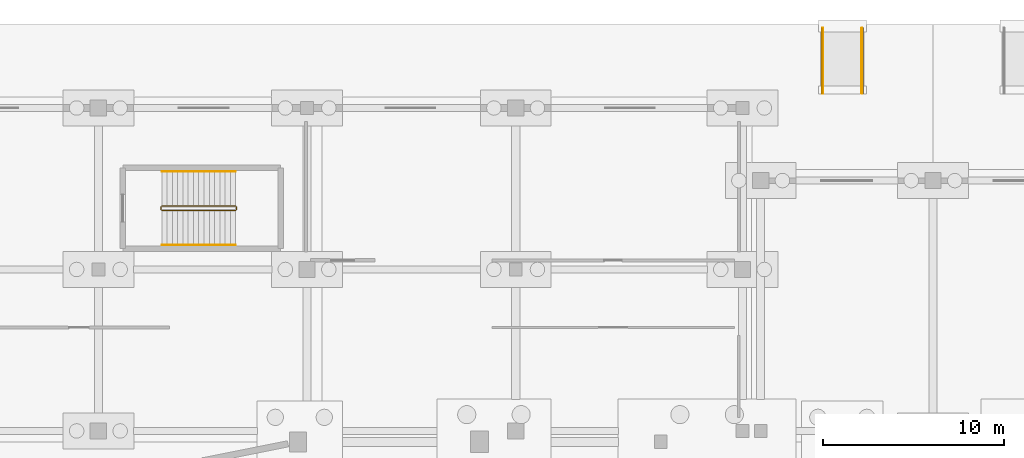
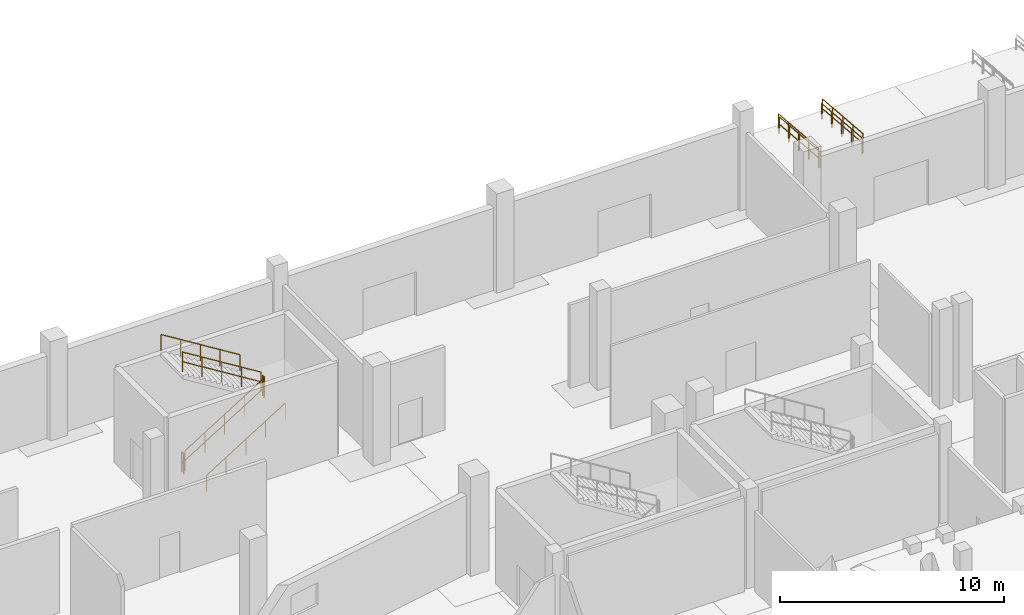
# One storey, part 65 of 68: 10 railings.
"""IFC4 building model written with IfcOpenShell, lengths in metres."""

from ifc_helpers import new_model, si_unit, direction, frame, origin, origin_2d, place, context, subcontext, project, spatial, circle, extrude, material, layer, layer_set, type_object, element, save


model = new_model("IFC4")

# Units and contexts
model_context = context("Model", 3, precision=1e-05, world=origin(), true_north=direction((0.0, 1.0)))
body_context = subcontext(model_context, "Body", "Model", "MODEL_VIEW")
ifc_project = project(units=[si_unit("LENGTHUNIT", "METRE"), si_unit("AREAUNIT", "SQUARE_METRE"), si_unit("VOLUMEUNIT", "CUBIC_METRE"), si_unit("PLANEANGLEUNIT", "RADIAN"), si_unit("MASSUNIT", "GRAM", prefix="KILO")], contexts=[model_context])

# Site, building, storey
site_placement = place(None, origin())
site = spatial("IfcSite", under=ifc_project, at=site_placement, CompositionType="ELEMENT")
building_placement = place(site_placement, origin())
building = spatial("IfcBuilding", under=site, at=building_placement, Name="Candeia Ridge Stadium", CompositionType="ELEMENT")
storey_placement = place(building_placement, origin())
storey = spatial("IfcBuildingStorey", under=building, at=storey_placement, Name="L00", CompositionType="ELEMENT", Elevation=0.0)

# Railings
ifc_material_1 = material(Name="Brushed Stainless Steel", Category="steel")
ifc_layer_1 = layer(ifc_material_1, 0.048095703125, Name="Brushed Stainless Steel", Category="steel")
ifc_layer_set_1 = layer_set([ifc_layer_1], Name="Brushed Stainless Steel")
railing_type_1 = type_object("IfcRailingType", Name="Stair Wall & Flight Handrail 900", PredefinedType="HANDRAIL", material=ifc_layer_set_1)
for number, where, name in (
    (1, (99.919921875, 169.800048828125, -0.300048828125), "Accessible ramp handrail RMP-N1-L"),
    (2, (102.080078125, 169.800048828125, -0.300048828125), "Accessible ramp handrail RMP-N1-R"),
):
    element("IfcRailing", number, at=place(storey_placement, frame(where)), inside=storey, type_object=railing_type_1, Name=name, PredefinedType="HANDRAIL", context=body_context, shape_type="SweptSolid", body=[
        extrude(circle(Radius=0.02392578125, at=origin_2d()), frame((0.0, 0.0, 0.8759765625), z_axis=(0.0, -0.996544826035, 0.083056665618), x_axis=(1.0, 0.0, 0.0)), (0.0, 0.0, 1.0), 3.612548828125),
        extrude(circle(Radius=0.02099609375, at=origin_2d()), origin(), (0.0, 0.0, 1.0), 0.851806640625),
        extrude(circle(Radius=0.02099609375, at=origin_2d()), frame((0.0, -0.89990234375, 0.074951171875)), (0.0, 0.0, 1.0), 0.851806640625),
        extrude(circle(Radius=0.02099609375, at=origin_2d()), frame((0.0, -1.800048828125, 0.14990234375)), (0.0, 0.0, 1.0), 0.851806640625),
        extrude(circle(Radius=0.02099609375, at=origin_2d()), frame((0.0, -2.7001953125, 0.22509765625)), (0.0, 0.0, 1.0), 0.851806640625),
        extrude(circle(Radius=0.02099609375, at=origin_2d()), frame((0.0, -3.60009765625, 0.300048828125)), (0.0, 0.0, 1.0), 0.851806640625),
    ])
railing_1_placement = place(storey_placement, frame((63.5, 157.85009765625, 0.179931640625)))
element("IfcRailing", 3, at=railing_1_placement, inside=storey, type_object=railing_type_1, Name="L00 ST15 stair handrail 1", PredefinedType="HANDRAIL", context=body_context, shape_type="SweptSolid", body=[
    extrude(circle(Radius=0.02392578125, at=origin_2d()), frame((0.0, 0.0, 0.8759765625), z_axis=(0.849641744969, 0.0, 0.527360318194), x_axis=(0.0, 1.0, 0.0)), (0.0, 0.0, 1.0), 4.778564453125),
    extrude(circle(Radius=0.02099609375, at=origin_2d()), origin(), (0.0, 0.0, 1.0), 0.851806640625),
    extrude(circle(Radius=0.02099609375, at=origin_2d()), frame((1.01513671875, 0.0, 0.6298828125)), (0.0, 0.0, 1.0), 0.851806640625),
    extrude(circle(Radius=0.02099609375, at=origin_2d()), frame((2.030029296875, 0.0, 1.260009765625)), (0.0, 0.0, 1.0), 0.851806640625),
    extrude(circle(Radius=0.02099609375, at=origin_2d()), frame((3.044921875, 0.0, 1.89013671875)), (0.0, 0.0, 1.0), 0.851806640625),
    extrude(circle(Radius=0.02099609375, at=origin_2d()), frame((4.06005859375, 0.0, 2.52001953125)), (0.0, 0.0, 1.0), 0.851806640625),
])
railing_2_placement = place(storey_placement, frame((67.56005859375, 161.89990234375, 2.8798828125)))
element("IfcRailing", 4, at=railing_2_placement, inside=storey, type_object=railing_type_1, Name="L00 ST15 stair handrail 2", PredefinedType="HANDRAIL", context=body_context, shape_type="SweptSolid", body=[
    extrude(circle(Radius=0.02392578125, at=origin_2d()), frame((0.0, 0.0, 0.8759765625), z_axis=(-0.849641744969, 0.0, 0.527360318194), x_axis=(0.0, -1.0, 0.0)), (0.0, 0.0, 1.0), 4.778564453125),
    extrude(circle(Radius=0.02099609375, at=origin_2d()), origin(), (0.0, 0.0, 1.0), 0.851806640625),
    extrude(circle(Radius=0.02099609375, at=origin_2d()), frame((-1.01513671875, 0.0, 0.6298828125)), (0.0, 0.0, 1.0), 0.851806640625),
    extrude(circle(Radius=0.02099609375, at=origin_2d()), frame((-2.030029296875, 0.0, 1.260009765625)), (0.0, 0.0, 1.0), 0.851806640625),
    extrude(circle(Radius=0.02099609375, at=origin_2d()), frame((-3.044921875, 0.0, 1.89013671875)), (0.0, 0.0, 1.0), 0.851806640625),
    extrude(circle(Radius=0.02099609375, at=origin_2d()), frame((-4.06005859375, 0.0, 2.52001953125)), (0.0, 0.0, 1.0), 0.851806640625),
])
ifc_material_2 = material(Name="Galvanized Powder-Coated Steel", Category="steel")
ifc_layer_2 = layer(ifc_material_2, 0.06005859375, Name="Galvanized Powder-Coated Steel", Category="steel")
ifc_layer_set_2 = layer_set([ifc_layer_2], Name="Galvanized Powder-Coated Steel")
railing_type_2 = type_object("IfcRailingType", Name="Stair Well Guardrail 1100", PredefinedType="GUARDRAIL", material=ifc_layer_set_2)
railing_3_placement = place(storey_placement, frame((63.5, 159.75, 0.179931640625)))
element("IfcRailing", 5, at=railing_3_placement, inside=storey, type_object=railing_type_2, Name="L00 ST15 stair guard 1", PredefinedType="GUARDRAIL", context=body_context, shape_type="SweptSolid", body=[
    extrude(circle(Radius=0.02392578125, at=origin_2d()), frame((0.0, 0.0, 1.076171875), z_axis=(0.849641744969, 0.0, 0.527360318194), x_axis=(0.0, 1.0, 0.0)), (0.0, 0.0, 1.0), 4.778564453125),
    extrude(circle(Radius=0.02392578125, at=origin_2d()), frame((0.0, 0.0, 0.550048828125), z_axis=(0.849641744969, 0.0, 0.527360318194), x_axis=(0.0, 1.0, 0.0)), (0.0, 0.0, 1.0), 4.778564453125),
    extrude(circle(Radius=0.02099609375, at=origin_2d()), origin(), (0.0, 0.0, 1.0), 1.052001953125),
    extrude(circle(Radius=0.02099609375, at=origin_2d()), frame((1.01513671875, 0.0, 0.6298828125)), (0.0, 0.0, 1.0), 1.052001953125),
    extrude(circle(Radius=0.02099609375, at=origin_2d()), frame((2.030029296875, 0.0, 1.260009765625)), (0.0, 0.0, 1.0), 1.052001953125),
    extrude(circle(Radius=0.02099609375, at=origin_2d()), frame((3.044921875, 0.0, 1.89013671875)), (0.0, 0.0, 1.0), 1.052001953125),
    extrude(circle(Radius=0.02099609375, at=origin_2d()), frame((4.06005859375, 0.0, 2.52001953125)), (0.0, 0.0, 1.0), 1.052001953125),
])
railing_4_placement = place(storey_placement, frame((67.610107421875, 159.800048828125, 2.699951171875)))
element("IfcRailing", 6, at=railing_4_placement, inside=storey, type_object=railing_type_2, Name="L00 ST15 stair guard 2", PredefinedType="GUARDRAIL", context=body_context, shape_type="SweptSolid", body=[
    extrude(circle(Radius=0.02392578125, at=origin_2d()), frame((0.0, 0.0, 1.076171875), z_axis=(0.0, 1.0, 0.0), x_axis=(-1.0, 0.0, 0.0)), (0.0, 0.0, 1.0), 0.14990234375),
    extrude(circle(Radius=0.02392578125, at=origin_2d()), frame((0.0, 0.0, 0.550048828125), z_axis=(0.0, 1.0, 0.0), x_axis=(-1.0, 0.0, 0.0)), (0.0, 0.0, 1.0), 0.14990234375),
    extrude(circle(Radius=0.02099609375, at=origin_2d()), origin(), (0.0, 0.0, 1.0), 1.052001953125),
    extrude(circle(Radius=0.02099609375, at=origin_2d()), frame((0.0, 0.14990234375, 0.0)), (0.0, 0.0, 1.0), 1.052001953125),
])
railing_5_placement = place(storey_placement, frame((67.56005859375, 160.0, 2.8798828125)))
element("IfcRailing", 7, at=railing_5_placement, inside=storey, type_object=railing_type_2, Name="L00 ST15 stair guard 3", PredefinedType="GUARDRAIL", context=body_context, shape_type="SweptSolid", body=[
    extrude(circle(Radius=0.02392578125, at=origin_2d()), frame((0.0, 0.0, 1.076171875), z_axis=(-0.849641744969, 0.0, 0.527360318194), x_axis=(0.0, -1.0, 0.0)), (0.0, 0.0, 1.0), 4.778564453125),
    extrude(circle(Radius=0.02392578125, at=origin_2d()), frame((0.0, 0.0, 0.550048828125), z_axis=(-0.849641744969, 0.0, 0.527360318194), x_axis=(0.0, -1.0, 0.0)), (0.0, 0.0, 1.0), 4.778564453125),
    extrude(circle(Radius=0.02099609375, at=origin_2d()), origin(), (0.0, 0.0, 1.0), 1.052001953125),
    extrude(circle(Radius=0.02099609375, at=origin_2d()), frame((-1.01513671875, 0.0, 0.6298828125)), (0.0, 0.0, 1.0), 1.052001953125),
    extrude(circle(Radius=0.02099609375, at=origin_2d()), frame((-2.030029296875, 0.0, 1.260009765625)), (0.0, 0.0, 1.0), 1.052001953125),
    extrude(circle(Radius=0.02099609375, at=origin_2d()), frame((-3.044921875, 0.0, 1.89013671875)), (0.0, 0.0, 1.0), 1.052001953125),
    extrude(circle(Radius=0.02099609375, at=origin_2d()), frame((-4.06005859375, 0.0, 2.52001953125)), (0.0, 0.0, 1.0), 1.052001953125),
])
railing_6_placement = place(storey_placement, frame((63.449951171875, 159.800048828125, 0.0)))
element("IfcRailing", 8, at=railing_6_placement, inside=storey, type_object=railing_type_2, Name="L00 ST15 stair guard 4", PredefinedType="GUARDRAIL", context=body_context, shape_type="SweptSolid", body=[
    extrude(circle(Radius=0.02392578125, at=origin_2d()), frame((0.0, 0.0, 1.076171875), z_axis=(0.0, 1.0, 0.0), x_axis=(-1.0, 0.0, 0.0)), (0.0, 0.0, 1.0), 0.14990234375),
    extrude(circle(Radius=0.02392578125, at=origin_2d()), frame((0.0, 0.0, 0.550048828125), z_axis=(0.0, 1.0, 0.0), x_axis=(-1.0, 0.0, 0.0)), (0.0, 0.0, 1.0), 0.14990234375),
    extrude(circle(Radius=0.02099609375, at=origin_2d()), origin(), (0.0, 0.0, 1.0), 1.052001953125),
    extrude(circle(Radius=0.02099609375, at=origin_2d()), frame((0.0, 0.14990234375, 0.0)), (0.0, 0.0, 1.0), 1.052001953125),
])
ifc_layer_3 = layer(ifc_material_2, 0.070068359375, Name="Galvanized Powder-Coated Steel", Category="steel")
ifc_layer_set_3 = layer_set([ifc_layer_3], Name="Galvanized Powder-Coated Steel")
railing_type_3 = type_object("IfcRailingType", Name="Vomitory Portal Guardrail 1100", PredefinedType="GUARDRAIL", material=ifc_layer_set_3)
for number, where, name in (
    (9, (99.860107421875, 169.800048828125, -0.300048828125), "Accessible ramp guardrail RMP-N1-L"),
    (10, (102.139892578125, 169.800048828125, -0.300048828125), "Accessible ramp guardrail RMP-N1-R"),
):
    element("IfcRailing", number, at=place(storey_placement, frame(where)), inside=storey, type_object=railing_type_3, Name=name, PredefinedType="GUARDRAIL", context=body_context, shape_type="SweptSolid", body=[
        extrude(circle(Radius=0.02392578125, at=origin_2d()), frame((0.0, 0.0, 1.076171875), z_axis=(0.0, -0.996544826035, 0.083056665618), x_axis=(1.0, 0.0, 0.0)), (0.0, 0.0, 1.0), 3.612548828125),
        extrude(circle(Radius=0.02392578125, at=origin_2d()), frame((0.0, 0.0, 0.550048828125), z_axis=(0.0, -0.996544826035, 0.083056665618), x_axis=(1.0, 0.0, 0.0)), (0.0, 0.0, 1.0), 3.612548828125),
        extrude(circle(Radius=0.02099609375, at=origin_2d()), origin(), (0.0, 0.0, 1.0), 1.052001953125),
        extrude(circle(Radius=0.02099609375, at=origin_2d()), frame((0.0, -0.89990234375, 0.074951171875)), (0.0, 0.0, 1.0), 1.052001953125),
        extrude(circle(Radius=0.02099609375, at=origin_2d()), frame((0.0, -1.800048828125, 0.14990234375)), (0.0, 0.0, 1.0), 1.052001953125),
        extrude(circle(Radius=0.02099609375, at=origin_2d()), frame((0.0, -2.7001953125, 0.22509765625)), (0.0, 0.0, 1.0), 1.052001953125),
        extrude(circle(Radius=0.02099609375, at=origin_2d()), frame((0.0, -3.60009765625, 0.300048828125)), (0.0, 0.0, 1.0), 1.052001953125),
    ])

save(model, "model.ifc")
